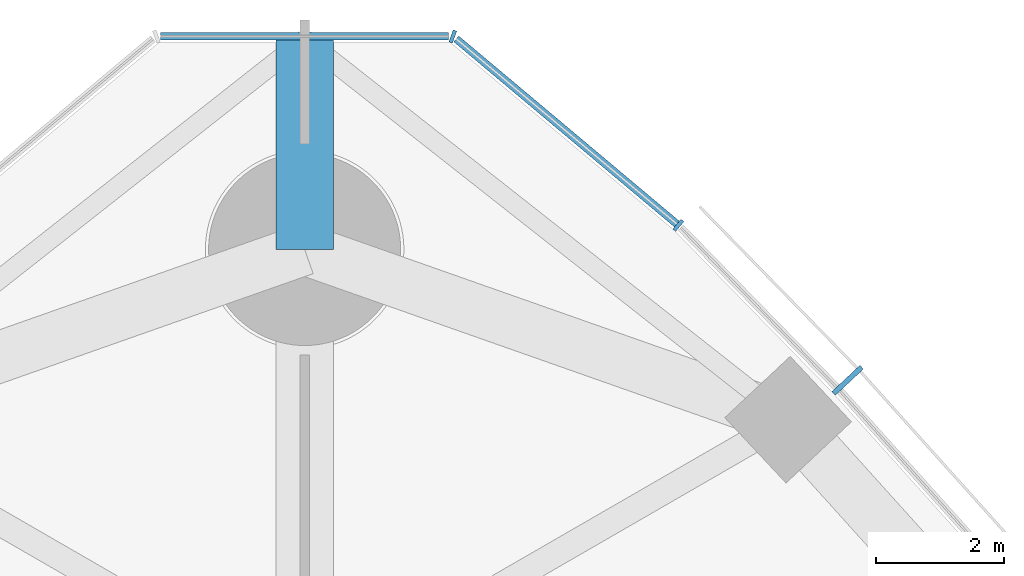
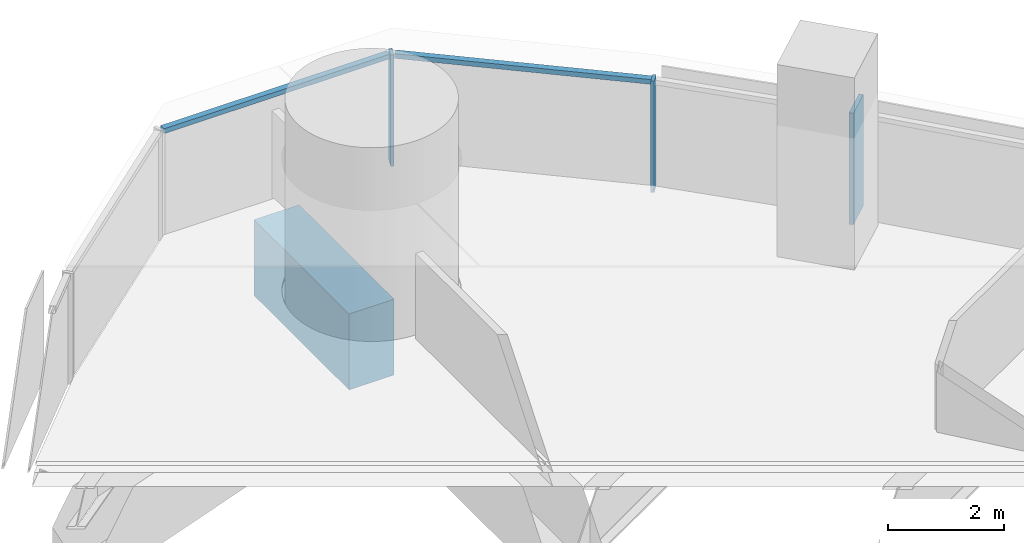
# One storey, part 8 of 19: 5 members, 1 beam, 2 elements without a shape of their own.
"""IFC4 building model written with IfcOpenShell, lengths in metres."""

from ifc_helpers import new_model, si_unit, direction, frame, origin, origin_2d, place, context, subcontext, project, spatial, rectangle, extrude, material, material_profile, profile_set, type_object, element, aggregate, save


model = new_model("IFC4")

# Units and contexts
model_context = context("Model", 3, precision=1e-05, world=origin(), true_north=direction((0.0, 1.0)))
body_context = subcontext(model_context, "Body", "Model", "MODEL_VIEW")
ifc_project = project(units=[si_unit("LENGTHUNIT", "METRE"), si_unit("AREAUNIT", "SQUARE_METRE"), si_unit("VOLUMEUNIT", "CUBIC_METRE"), si_unit("PLANEANGLEUNIT", "RADIAN"), si_unit("MASSUNIT", "GRAM", prefix="KILO")], contexts=[model_context])

# Site, building, storey
site_placement = place(None, origin())
site = spatial("IfcSite", under=ifc_project, at=site_placement, CompositionType="ELEMENT")
building_placement = place(site_placement, origin())
building = spatial("IfcBuilding", under=site, at=building_placement, Name="Trefoil Bronze Tower", CompositionType="ELEMENT")
storey_placement = place(building_placement, frame((0.0, 0.0, 261.10009765625)))
storey = spatial("IfcBuildingStorey", under=building, at=storey_placement, Name="L60", CompositionType="ELEMENT", Elevation=261.10009765625)

# Curtain wall, member
ifc_material_1 = material(Name="Tinted solar-control glass", Category="glass")
curtain_wall_type_1 = type_object("IfcCurtainWallType", Name="Bronze office curtain wall", PredefinedType="USERDEFINED", material=ifc_material_1)
curtain_wall_1_placement = place(storey_placement, origin())
curtain_wall_1 = element("IfcCurtainWall", 1, at=curtain_wall_1_placement, inside=storey, type_object=curtain_wall_type_1, Name="CW-A L60 F2", ObjectType="CURTAIN WALL", PredefinedType="USERDEFINED")
ifc_material_2 = material(Name="Bronze-finish aluminium", Category="aluminium")
ifc_material_profile_1 = material_profile(ifc_material_2, rectangle(XDim=0.60009765625, YDim=0.080078125, at=origin_2d()), Name="CW-A mullion")
ifc_profile_set_1 = profile_set([ifc_material_profile_1], Name="Bronze-finish aluminium")
member_type_1 = type_object("IfcMemberType", Name="Bronze office curtain wall mullion", PredefinedType="MULLION", material=ifc_profile_set_1)
member_1_placement = place(storey_placement, frame((8.482177734375, 30.95654296875, 0.0), z_axis=(0.0, 0.0, 1.0), x_axis=(-0.729859580661, -0.683597098091, 0.0)))
member_1 = element("IfcMember", 2, at=member_1_placement, type_object=member_type_1, Name="CW-A L60 F2 mullion 12", PredefinedType="MULLION", context=body_context, shape_type="SweptSolid", body=[
    extrude(rectangle(XDim=0.60009765625, YDim=0.080078125, at=origin_2d()), origin(), (0.0, 0.0, 1.0), 2.349853515625),
])
aggregate(curtain_wall_1, [member_1])

# Curtain wall, members
ifc_material_3 = material(Name="Tinted solar-control glass", Category="glass")
curtain_wall_type_2 = type_object("IfcCurtainWallType", Name="Bronze rounded corner curtain wall", PredefinedType="USERDEFINED", material=ifc_material_3)
curtain_wall_2_placement = place(storey_placement, origin())
curtain_wall_2 = element("IfcCurtainWall", 3, at=curtain_wall_2_placement, inside=storey, type_object=curtain_wall_type_2, Name="CW-B L60 K2", ObjectType="CURTAIN WALL", PredefinedType="USERDEFINED")
ifc_material_4 = material(Name="Bronze-finish aluminium", Category="aluminium")
ifc_material_profile_2 = material_profile(ifc_material_4, rectangle(XDim=0.199951171875, YDim=0.06005859375, at=origin_2d()), Name="CW-B mullion")
ifc_profile_set_2 = profile_set([ifc_material_profile_2], Name="Bronze-finish aluminium")
member_type_2 = type_object("IfcMemberType", Name="Bronze rounded corner curtain wall mullion", PredefinedType="MULLION", material=ifc_profile_set_2)
member_2_placement = place(storey_placement, frame((5.837890625, 33.3779296875, 0.0), z_axis=(0.0, 0.0, 1.0), x_axis=(-0.642787609687, -0.766044443119, 0.0)))
member_2 = element("IfcMember", 4, at=member_2_placement, type_object=member_type_2, Name="CW-B L60 K2 mullion 1", PredefinedType="MULLION", context=body_context, shape_type="SweptSolid", body=[
    extrude(rectangle(XDim=0.199951171875, YDim=0.06005859375, at=origin_2d()), origin(), (0.0, 0.0, 1.0), 2.349853515625),
])
member_3_placement = place(storey_placement, frame((2.314453125, 36.326416015625, 0.0), z_axis=(0.0, 0.0, 1.0), x_axis=(-0.342020143326, -0.939692620786, 0.0)))
member_3 = element("IfcMember", 5, at=member_3_placement, type_object=member_type_2, Name="CW-B L60 K2 mullion 2", PredefinedType="MULLION", context=body_context, shape_type="SweptSolid", body=[
    extrude(rectangle(XDim=0.199951171875, YDim=0.06005859375, at=origin_2d()), origin(), (0.0, 0.0, 1.0), 2.349853515625),
])
ifc_material_5 = material(Name="Bronze-finish aluminium", Category="aluminium")
ifc_material_profile_3 = material_profile(ifc_material_5, rectangle(XDim=0.1201171875, YDim=0.10009765625, at=origin_2d()), Name="CW-B transom")
ifc_profile_set_3 = profile_set([ifc_material_profile_3], Name="Bronze-finish aluminium")
member_type_3 = type_object("IfcMemberType", Name="Bronze rounded corner curtain wall transom", PredefinedType="USERDEFINED", material=ifc_profile_set_3)
member_4_placement = place(storey_placement, frame((5.814697265625, 33.397216796875, 2.2998046875), z_axis=(-0.766046761698, 0.642784846501, 0.0), x_axis=(-0.642784846501, -0.766046761698, 0.0)))
member_4 = element("IfcMember", 6, at=member_4_placement, type_object=member_type_3, Name="CW-B L60 K2 transom 1", ObjectType="TRANSOM", PredefinedType="USERDEFINED", context=body_context, shape_type="SweptSolid", body=[
    extrude(rectangle(XDim=0.1201171875, YDim=0.10009765625, at=origin_2d()), origin(), (0.0, 0.0, 1.0), 4.5),
])
member_5_placement = place(storey_placement, frame((2.250244140625, 36.33251953125, 2.2998046875), z_axis=(-1.0, 0.0, 0.0), x_axis=(0.0, -1.0, 0.0)))
member_5 = element("IfcMember", 7, at=member_5_placement, type_object=member_type_3, Name="CW-B L60 K2 transom 2", ObjectType="TRANSOM", PredefinedType="USERDEFINED", context=body_context, shape_type="SweptSolid", body=[
    extrude(rectangle(XDim=0.1201171875, YDim=0.10009765625, at=origin_2d()), origin(), (0.0, 0.0, 1.0), 4.50048828125),
])
aggregate(curtain_wall_2, [member_2, member_3, member_4, member_5])

# Beam
ifc_material_6 = material(Name="Concrete B80", Category="concrete")
ifc_material_profile_4 = material_profile(ifc_material_6, rectangle(XDim=0.89990234375, YDim=1.60009765625, at=origin_2d()), Name="RC 900x1600")
ifc_profile_set_4 = profile_set([ifc_material_profile_4], Name="Concrete B80")
beam_type = type_object("IfcBeamType", Name="Corner cantilever RC 900x1600", PredefinedType="BEAM", material=ifc_profile_set_4)
beam_placement = place(storey_placement, frame((0.0, 33.0, -1.0), z_axis=(0.0, 1.0, 0.0), x_axis=(-1.0, 0.0, 0.0)))
element("IfcBeam", 8, at=beam_placement, inside=storey, type_object=beam_type, Name="Corner cantilever K2 L60", PredefinedType="BEAM", context=body_context, shape_type="SweptSolid", body=[
    extrude(rectangle(XDim=0.89990234375, YDim=1.60009765625, at=origin_2d()), origin(), (0.0, 0.0, 1.0), 3.28466796875),
])

save(model, "model.ifc")
